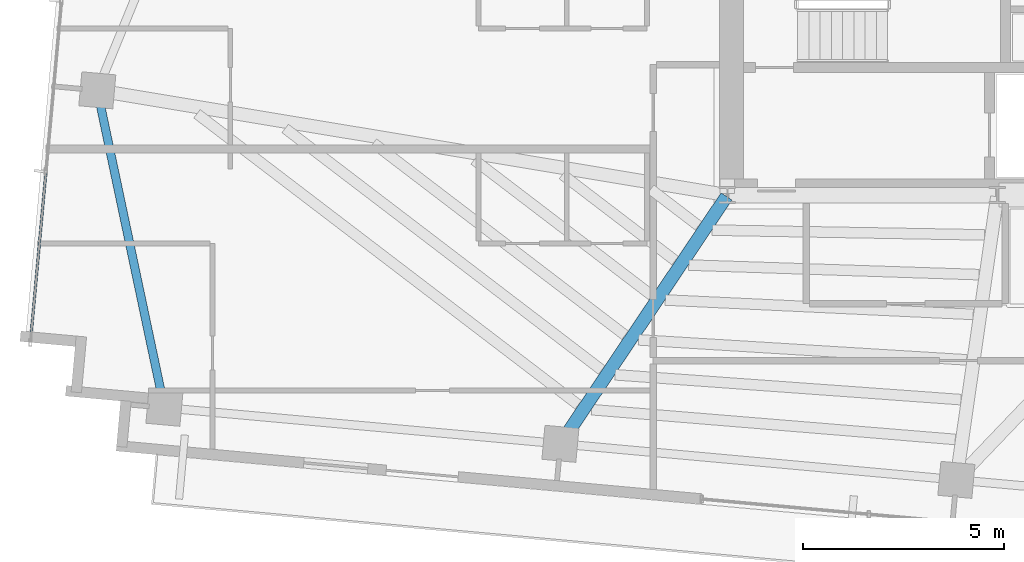
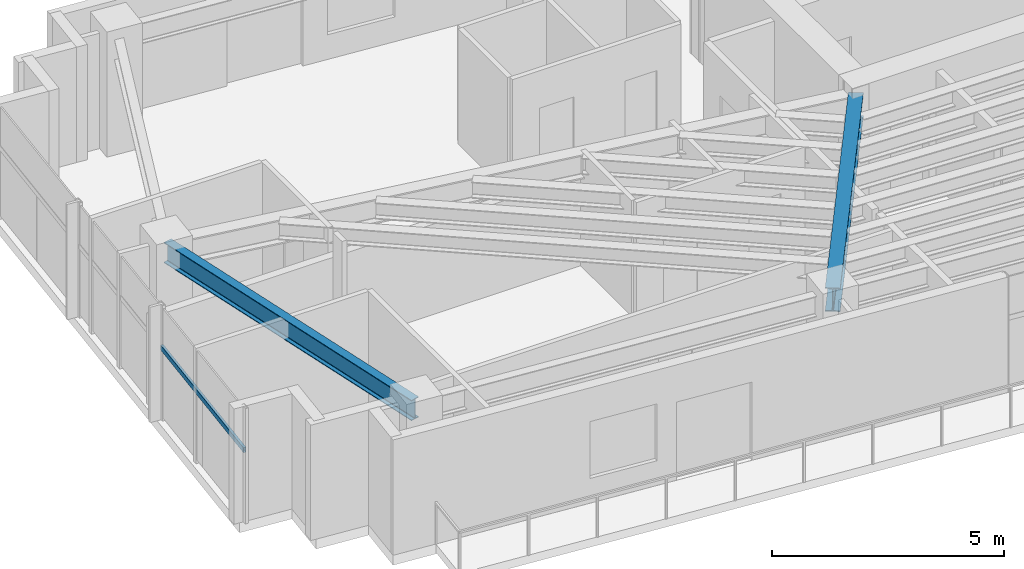
# One storey, part 3 of 22: 2 beams, 1 member, 1 element without a shape of its own.
"""IFC4 building model written with IfcOpenShell, lengths in metres."""

from ifc_helpers import new_model, si_unit, direction, frame, origin, origin_2d, place, context, subcontext, project, spatial, hollow_rectangle, i_section, extrude, source, transform, mapped, material, material_profile, profile_set, type_object, type_shapes, element, aggregate, save


model = new_model("IFC4")

# Units and contexts
model_context = context("Model", 3, precision=1e-05, world=origin(), true_north=direction((0.0, 1.0)))
body_context = subcontext(model_context, "Body", "Model", "MODEL_VIEW")
ifc_project = project(units=[si_unit("LENGTHUNIT", "METRE"), si_unit("AREAUNIT", "SQUARE_METRE"), si_unit("VOLUMEUNIT", "CUBIC_METRE"), si_unit("PLANEANGLEUNIT", "RADIAN"), si_unit("MASSUNIT", "GRAM", prefix="KILO")], contexts=[model_context])

# Site, building, storey
site_placement = place(None, origin())
site = spatial("IfcSite", under=ifc_project, at=site_placement, CompositionType="ELEMENT")
building_placement = place(site_placement, origin())
building = spatial("IfcBuilding", under=site, at=building_placement, Name="Astriad Promenade Condominiums", CompositionType="ELEMENT")
storey_placement = place(building_placement, frame((0.0, 0.0, 249.60009765625)))
storey = spatial("IfcBuildingStorey", under=building, at=storey_placement, Name="L72", CompositionType="ELEMENT", Elevation=249.60009765625)

# Beams
ifc_material_1 = material(Name="Steel ASTM A992 Grade 50", Category="steel")
ifc_material_profile_1 = material_profile(ifc_material_1, i_section(OverallWidth=0.210693359375, OverallDepth=0.53955078125, WebThickness=0.01171875, FlangeThickness=0.018798828125, FilletRadius=0.0166015625, at=origin_2d()), Name="W21X73")
ifc_profile_set_1 = profile_set([ifc_material_profile_1], Name="Steel ASTM A992 Grade 50")
beam_type_1 = type_object("IfcBeamType", Name="STEEL SPANDREL BEAM W21X73", PredefinedType="SPANDREL", material=ifc_profile_set_1)
shared_shape_1 = source(origin(), body_context, "Body", "SweptSolid", [
    extrude(i_section(OverallWidth=0.210693359375, OverallDepth=0.53955078125, WebThickness=0.01171875, FlangeThickness=0.018798828125, FilletRadius=0.0166015625, at=origin_2d()), origin(), (0.0, 0.0, 1.0), 7.99853515625),
])
type_shapes(beam_type_1, [shared_shape_1])
beam_1_placement = place(storey_placement, frame((10.719482421875, 19.97119140625, 2.77001953125), z_axis=(0.206793407277, -0.978384631271, 0.0), x_axis=(0.978384631271, 0.206793407277, 0.0)))
element("IfcBeam", 1, at=beam_1_placement, inside=storey, type_object=beam_type_1, Name="Perimeter Spandrel Beam SP-W1-L72", PredefinedType="SPANDREL", context=body_context, shape_type="MappedRepresentation", body=[
    mapped(shared_shape_1, transform((0.0, 0.0, 0.0), scale=1.0)),
])
ifc_material_profile_2 = material_profile(ifc_material_1, i_section(OverallWidth=0.326416015625, OverallDepth=0.621826171875, WebThickness=0.015380859375, FlangeThickness=0.0244140625, FilletRadius=0.017822265625, at=origin_2d()), Name="W24X131")
ifc_profile_set_2 = profile_set([ifc_material_profile_2], Name="Steel ASTM A992 Grade 50")
beam_type_2 = type_object("IfcBeamType", Name="STEEL FLOOR GIRDER W24X131", PredefinedType="BEAM", material=ifc_profile_set_2)
shared_shape_2 = source(origin(), body_context, "Body", "SweptSolid", [
    extrude(i_section(OverallWidth=0.326416015625, OverallDepth=0.621826171875, WebThickness=0.015380859375, FlangeThickness=0.0244140625, FilletRadius=0.017822265625, at=origin_2d()), origin(), (0.0, 0.0, 1.0), 7.378173828125),
])
type_shapes(beam_type_2, [shared_shape_2])
beam_2_placement = place(storey_placement, frame((22.263427734375, 11.2421875, 2.72900390625), z_axis=(0.55762901545, 0.830090284926, 0.0), x_axis=(-0.830090284926, 0.55762901545, 0.0)))
element("IfcBeam", 2, at=beam_2_placement, inside=storey, type_object=beam_type_2, Name="Primary Floor Girder PG-W2-L72", PredefinedType="BEAM", context=body_context, shape_type="MappedRepresentation", body=[
    mapped(shared_shape_2, transform((0.0, 0.0, 0.0), scale=1.0)),
])

# Curtain wall, member
ifc_material_2 = material(Name="Anodised aluminium Black Dark Glass Unitised", Category="aluminium")
curtain_wall_type = type_object("IfcCurtainWallType", Name="CW-B5-DARK", PredefinedType="USERDEFINED", material=ifc_material_2)
curtain_wall_placement = place(storey_placement, origin())
curtain_wall = element("IfcCurtainWall", 3, at=curtain_wall_placement, inside=storey, type_object=curtain_wall_type, Name="CW-L72-W", ObjectType="UNITISED_CURTAIN_WALL", PredefinedType="USERDEFINED")
ifc_material_3 = material(Name="Anodised aluminium 6063-T6 Black", Category="aluminium")
ifc_material_profile_3 = material_profile(ifc_material_3, hollow_rectangle(XDim=0.06494140625, YDim=0.1298828125, WallThickness=0.00390625, at=origin_2d()), Name="ALU-TRN-65X130")
ifc_profile_set_3 = profile_set([ifc_material_profile_3], Name="Anodised aluminium 6063-T6 Black")
member_type = type_object("IfcMemberType", Name="TRN-ALU-TRN-65X130", PredefinedType="USERDEFINED", material=ifc_profile_set_3)
shared_shape_3 = source(origin(), body_context, "Body", "SweptSolid", [
    extrude(hollow_rectangle(XDim=0.06494140625, YDim=0.1298828125, WallThickness=0.00390625, at=origin_2d()), origin(), (0.0, 0.0, 1.0), 4.2666015625),
])
type_shapes(member_type, [shared_shape_3])
member_placement = place(storey_placement, frame((9.0458984375, 13.7353515625, 1.884765625), z_axis=(0.090638931954, 0.99588382054, 0.0), x_axis=(-0.99588382054, 0.090638931954, 0.0)))
member = element("IfcMember", 4, at=member_placement, type_object=member_type, Name="CW-L72-W-TRN-00-0", ObjectType="TRANSOM", PredefinedType="USERDEFINED", context=body_context, shape_type="MappedRepresentation", body=[
    mapped(shared_shape_3, transform((0.0, 0.0, 0.0), scale=1.0)),
])
aggregate(curtain_wall, [member])

save(model, "model.ifc")
